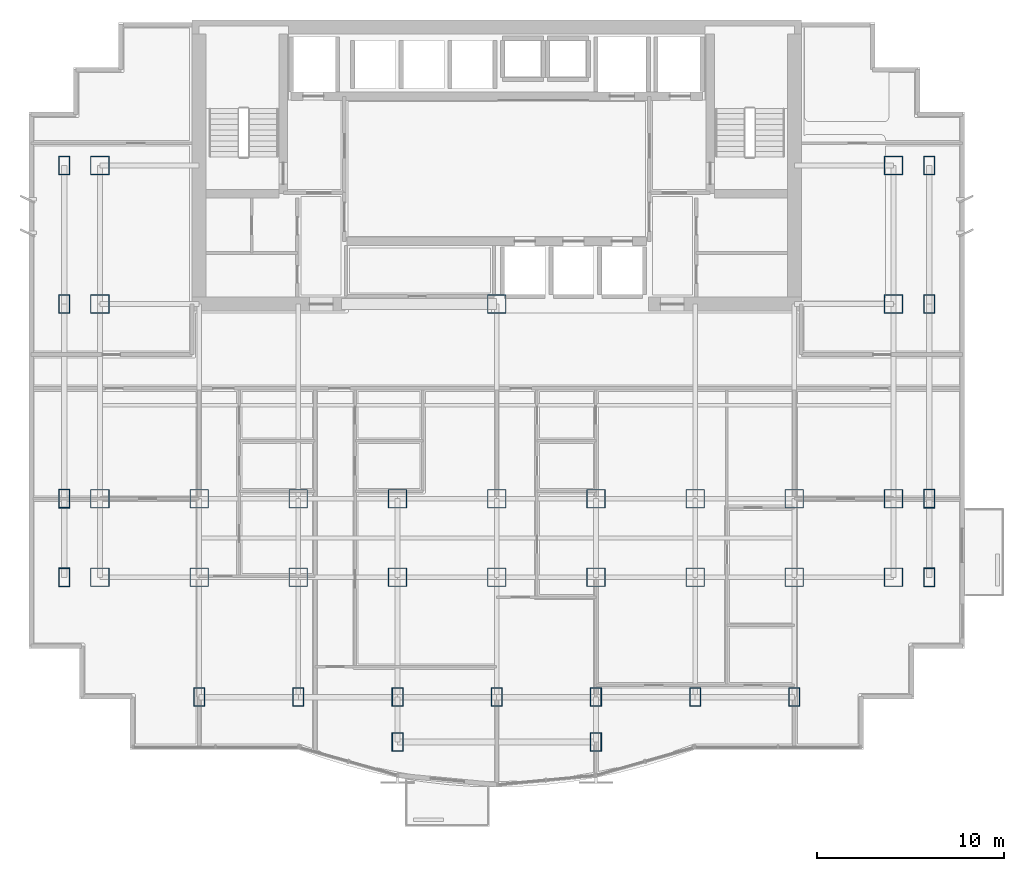
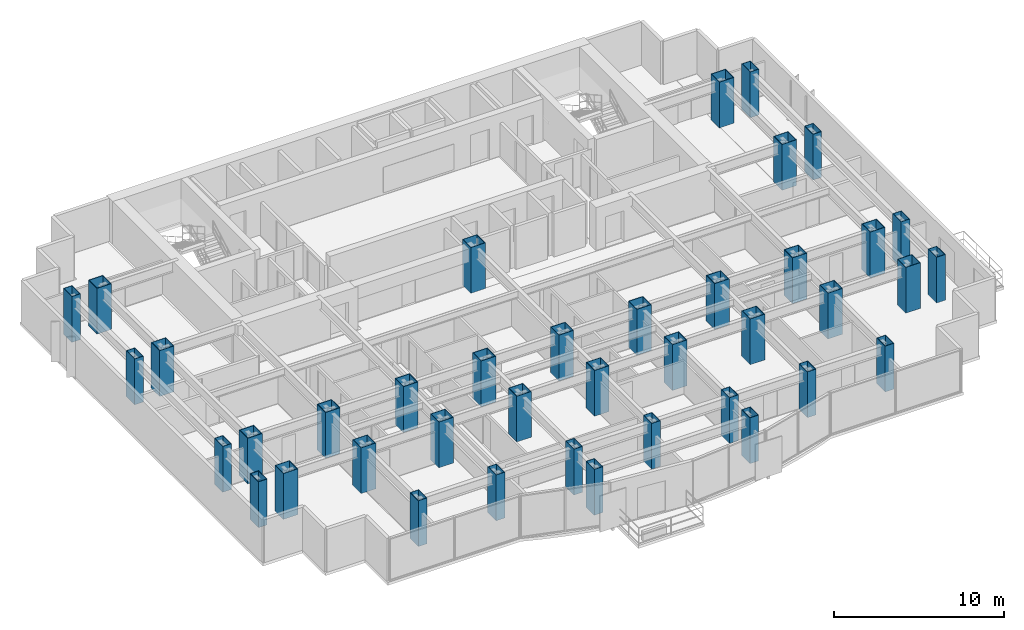
# One storey, part 1 of 10: 40 columns.
"""IFC4 building model written with IfcOpenShell, lengths in metres."""

from ifc_helpers import new_model, si_unit, direction, frame, origin, origin_2d, place, context, subcontext, project, spatial, hollow_rectangle, extrude, material, material_profile, profile_set, type_object, element, save


model = new_model("IFC4")

# Units and contexts
model_context = context("Model", 3, precision=1e-05, world=origin(), true_north=direction((0.0, 1.0)))
body_context = subcontext(model_context, "Body", "Model", "MODEL_VIEW")
ifc_project = project(units=[si_unit("LENGTHUNIT", "METRE"), si_unit("AREAUNIT", "SQUARE_METRE"), si_unit("VOLUMEUNIT", "CUBIC_METRE"), si_unit("PLANEANGLEUNIT", "RADIAN"), si_unit("MASSUNIT", "GRAM", prefix="KILO")], contexts=[model_context])

# Site, building, storey
site_placement = place(None, origin())
site = spatial("IfcSite", under=ifc_project, at=site_placement, CompositionType="ELEMENT")
building_placement = place(site_placement, origin())
building = spatial("IfcBuilding", under=site, at=building_placement, Name="Qianlan Lanfeng Residences", CompositionType="ELEMENT")
storey_placement = place(building_placement, frame((0.0, 0.0, 91.60009765625)))
storey = spatial("IfcBuildingStorey", under=building, at=storey_placement, Name="L24", CompositionType="ELEMENT", Elevation=91.60009765625)

# Columns
ifc_material = material(Name="Steel SN490B", Category="steel")
ifc_material_profile_1 = material_profile(ifc_material, hollow_rectangle(XDim=1.0, YDim=1.0, WallThickness=0.035888671875, at=origin_2d()), Name="BOX 1000x1000x36")
ifc_profile_set_1 = profile_set([ifc_material_profile_1], Name="Steel SN490B")
column_type_1 = type_object("IfcColumnType", Name="C-B1200", PredefinedType="COLUMN", material=ifc_profile_set_1)
for number, where, z_axis, x_axis, name in (
    (1, (26.5, 25.199951171875, 0.0), (0.0, 0.0, 1.0), (1.0, 0.0, 0.0), "L24 Structural Column CP_26.5_25.2"),
    (2, (10.60009765625, 14.800048828125, 0.0), (0.0, 0.0, 1.0), (1.0, 0.0, 0.0), "L24 Structural Column M_10.60_14.80"),
    (3, (10.60009765625, 10.60009765625, 0.0), (0.0, 0.0, 1.0), (1.0, 0.0, 0.0), "L24 Structural Column G_10.60_10.60"),
    (4, (15.89990234375, 14.800048828125, 0.0), (0.0, 0.0, 1.0), (1.0, 0.0, 0.0), "L24 Structural Column M_15.90_14.80"),
    (5, (15.89990234375, 10.60009765625, 0.0), (0.0, 0.0, 1.0), (1.0, 0.0, 0.0), "L24 Structural Column G_15.90_10.60"),
    (6, (21.199951171875, 14.800048828125, 0.0), (0.0, 0.0, 1.0), (1.0, 0.0, 0.0), "L24 Structural Column M_21.20_14.80"),
    (7, (21.199951171875, 10.60009765625, 0.0), (0.0, 0.0, 1.0), (1.0, 0.0, 0.0), "L24 Structural Column G_21.20_10.60"),
    (8, (26.5, 14.800048828125, 0.0), (0.0, 0.0, 1.0), (1.0, 0.0, 0.0), "L24 Structural Column M_26.50_14.80"),
    (9, (26.5, 10.60009765625, 0.0), (0.0, 0.0, 1.0), (1.0, 0.0, 0.0), "L24 Structural Column G_26.50_10.60"),
    (10, (31.800048828125, 14.800048828125, 0.0), (0.0, 0.0, 1.0), (1.0, 0.0, 0.0), "L24 Structural Column M_31.80_14.80"),
    (11, (31.800048828125, 10.60009765625, 0.0), (0.0, 0.0, 1.0), (1.0, 0.0, 0.0), "L24 Structural Column G_31.80_10.60"),
    (12, (37.10009765625, 14.800048828125, 0.0), (0.0, 0.0, 1.0), (1.0, 0.0, 0.0), "L24 Structural Column M_37.10_14.80"),
    (13, (37.10009765625, 10.60009765625, 0.0), (0.0, 0.0, 1.0), (1.0, 0.0, 0.0), "L24 Structural Column G_37.10_10.60"),
    (14, (42.39990234375, 14.800048828125, 0.0), (0.0, 0.0, 1.0), (1.0, 0.0, 0.0), "L24 Structural Column M_42.40_14.80"),
    (15, (42.39990234375, 10.60009765625, 0.0), (0.0, 0.0, 1.0), (1.0, 0.0, 0.0), "L24 Structural Column G_42.40_10.60"),
    (16, (5.300048828125, 10.60009765625, 0.0), (0.0, 0.0, 1.0), (1.0, 0.0, 0.0), "L24 Structural Column W_5.30_10.60"),
    (17, (5.300048828125, 14.800048828125, 0.0), (0.0, 0.0, 1.0), (1.0, 0.0, 0.0), "L24 Structural Column W_5.30_14.80"),
    (18, (5.300048828125, 25.199951171875, 0.0), (0.0, 0.0, 1.0), (1.0, 0.0, 0.0), "L24 Structural Column W_5.30_25.20"),
    (19, (5.300048828125, 32.60009765625, 0.0), (0.0, 0.0, 1.0), (1.0, 0.0, 0.0), "L24 Structural Column W_5.30_32.60"),
    (20, (47.699951171875, 10.60009765625, 0.0), (0.0, 0.0, 1.0), (1.0, 0.0, 0.0), "L24 Structural Column W_47.70_10.60"),
    (21, (47.699951171875, 14.800048828125, 0.0), (0.0, 0.0, 1.0), (1.0, 0.0, 0.0), "L24 Structural Column W_47.70_14.80"),
    (22, (47.699951171875, 25.199951171875, 0.0), (0.0, 0.0, 1.0), (1.0, 0.0, 0.0), "L24 Structural Column W_47.70_25.20"),
    (23, (47.699951171875, 32.60009765625, 0.0), (0.0, 0.0, 1.0), (1.0, 0.0, 0.0), "L24 Structural Column W_47.70_32.60"),
):
    element("IfcColumn", number, at=place(storey_placement, frame(where, z_axis=z_axis, x_axis=x_axis)), inside=storey, type_object=column_type_1, Name=name, PredefinedType="COLUMN", context=body_context, shape_type="SweptSolid", body=[
        extrude(hollow_rectangle(XDim=1.0, YDim=1.0, WallThickness=0.035888671875, at=origin_2d()), origin(), (0.0, 0.0, 1.0), 3.2998046875),
    ])
ifc_material_profile_2 = material_profile(ifc_material, hollow_rectangle(XDim=0.60009765625, YDim=1.0, WallThickness=0.031982421875, at=origin_2d()), Name="BOX 1000x600x32")
ifc_profile_set_2 = profile_set([ifc_material_profile_2], Name="Steel SN490B")
column_type_2 = type_object("IfcColumnType", Name="CE-B1100", PredefinedType="COLUMN", material=ifc_profile_set_2)
for number, where, z_axis, x_axis, name in (
    (24, (21.199951171875, 1.800048828125, 0.0), (0.0, 0.0, 1.0), (1.0, 0.0, 0.0), "L24 Structural Column P_21.20_1.80"),
    (25, (31.800048828125, 1.800048828125, 0.0), (0.0, 0.0, 1.0), (1.0, 0.0, 0.0), "L24 Structural Column P_31.80_1.80"),
    (26, (10.60009765625, 4.199951171875, 0.0), (0.0, 0.0, 1.0), (1.0, 0.0, 0.0), "L24 Structural Column S_10.60_4.20"),
    (27, (15.89990234375, 4.199951171875, 0.0), (0.0, 0.0, 1.0), (1.0, 0.0, 0.0), "L24 Structural Column S_15.90_4.20"),
    (28, (21.199951171875, 4.199951171875, 0.0), (0.0, 0.0, 1.0), (1.0, 0.0, 0.0), "L24 Structural Column S_21.20_4.20"),
    (29, (26.5, 4.199951171875, 0.0), (0.0, 0.0, 1.0), (1.0, 0.0, 0.0), "L24 Structural Column S_26.50_4.20"),
    (30, (31.800048828125, 4.199951171875, 0.0), (0.0, 0.0, 1.0), (1.0, 0.0, 0.0), "L24 Structural Column S_31.80_4.20"),
    (31, (37.10009765625, 4.199951171875, 0.0), (0.0, 0.0, 1.0), (1.0, 0.0, 0.0), "L24 Structural Column S_37.10_4.20"),
    (32, (42.39990234375, 4.199951171875, 0.0), (0.0, 0.0, 1.0), (1.0, 0.0, 0.0), "L24 Structural Column S_42.40_4.20"),
    (33, (3.39990234375, 10.60009765625, 0.0), (0.0, 0.0, 1.0), (1.0, 0.0, 0.0), "L24 Structural Column W_3.40_10.60"),
    (34, (3.39990234375, 14.800048828125, 0.0), (0.0, 0.0, 1.0), (1.0, 0.0, 0.0), "L24 Structural Column W_3.40_14.80"),
    (35, (3.39990234375, 25.199951171875, 0.0), (0.0, 0.0, 1.0), (1.0, 0.0, 0.0), "L24 Structural Column W_3.40_25.20"),
    (36, (3.39990234375, 32.60009765625, 0.0), (0.0, 0.0, 1.0), (1.0, 0.0, 0.0), "L24 Structural Column W_3.40_32.60"),
    (37, (49.60009765625, 10.60009765625, 0.0), (0.0, 0.0, 1.0), (1.0, 0.0, 0.0), "L24 Structural Column W_49.60_10.60"),
    (38, (49.60009765625, 14.800048828125, 0.0), (0.0, 0.0, 1.0), (1.0, 0.0, 0.0), "L24 Structural Column W_49.60_14.80"),
    (39, (49.60009765625, 25.199951171875, 0.0), (0.0, 0.0, 1.0), (1.0, 0.0, 0.0), "L24 Structural Column W_49.60_25.20"),
    (40, (49.60009765625, 32.60009765625, 0.0), (0.0, 0.0, 1.0), (1.0, 0.0, 0.0), "L24 Structural Column W_49.60_32.60"),
):
    element("IfcColumn", number, at=place(storey_placement, frame(where, z_axis=z_axis, x_axis=x_axis)), inside=storey, type_object=column_type_2, Name=name, PredefinedType="COLUMN", context=body_context, shape_type="SweptSolid", body=[
        extrude(hollow_rectangle(XDim=0.60009765625, YDim=1.0, WallThickness=0.031982421875, at=origin_2d()), origin(), (0.0, 0.0, 1.0), 3.2998046875),
    ])

save(model, "model.ifc")
